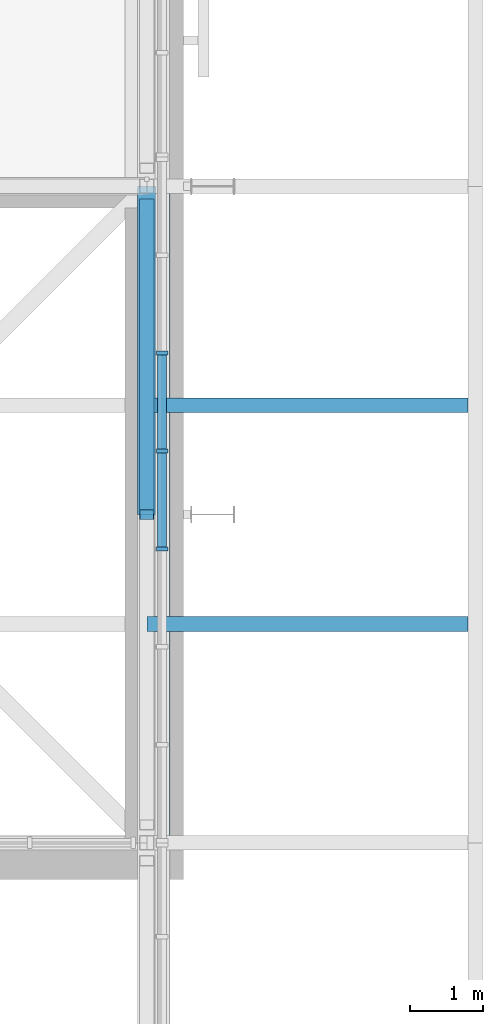
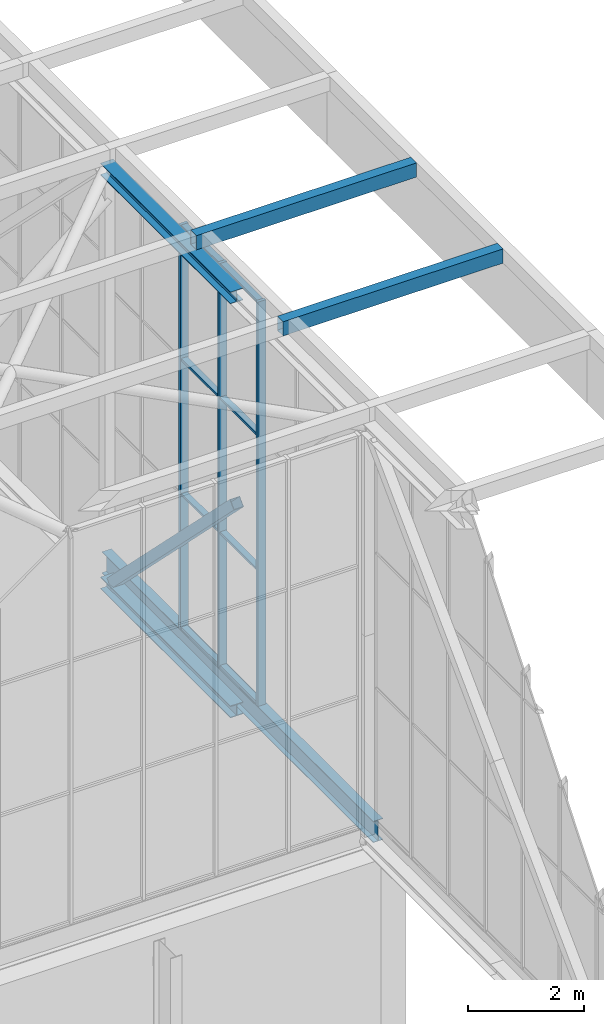
# One storey, part 86 of 646: 16 members, 1 beam, 1 element without a shape of its own.
"""IFC4 building model written with IfcOpenShell, lengths in metres."""

import ifcopenshell
import ifcopenshell.guid

model = None  # the IFC model being written
_history = None  # IfcOwnerHistory: only IFC2X3 demands one
_inside = {}  # id of a spatial element -> (the spatial element, [elements in it])
_under = {}  # id of a project, library or spatial element -> (it, [spatial elements below it])
_declared = {}  # id of a project -> (the project, [libraries it declares])
_typed = {}  # id of a type object -> (the type object, [elements of that type])
_made_of = {}  # id of a material, layer set ... -> (it, [elements and type objects made of it])


def new_model(schema):
    """Start an empty IFC model of exactly this schema.

    Asked for "IFC4X3", IfcOpenShell would pick the latest addendum, in which some entities
    have other attributes; the version numbers below select the first issue.
    IFC2X3 requires an IfcOwnerHistory on every rooted entity: one is made here for all.
    """
    global model, _history
    if schema == "IFC4X3":
        model = ifcopenshell.file(schema_version=(4, 3, 0, 0))
    else:
        model = ifcopenshell.file(schema=schema)
    _inside.clear()
    _under.clear()
    _declared.clear()
    _typed.clear()
    _made_of.clear()
    _history = None
    if model.schema == "IFC2X3":
        org = make("IfcOrganization", Name="unknown")
        user = make(
            "IfcPersonAndOrganization",
            ThePerson=make("IfcPerson", FamilyName="unknown"),
            TheOrganization=org,
        )
        app = make(
            "IfcApplication",
            ApplicationDeveloper=org,
            Version="unknown",
            ApplicationFullName="unknown",
            ApplicationIdentifier="unknown",
        )
        _history = make(
            "IfcOwnerHistory",
            OwningUser=user,
            OwningApplication=app,
            ChangeAction="ADDED",
            CreationDate=0,
        )
    return model


def make(cls, **values):
    """One entity of the class cls with the attributes given. An attribute that is None is left unset."""
    return model.create_entity(
        cls, **{name: value for name, value in values.items() if value is not None}
    )


def rooted(cls, **values):
    """An entity with a GlobalId (a new one), such as an element, a storey or a relation."""
    return make(cls, GlobalId=ifcopenshell.guid.new(), OwnerHistory=_history, **values)


def si_unit(unit_type, name, prefix=None):
    """IfcSIUnit, for example si_unit("LENGTHUNIT", "METRE", prefix="MILLI")."""
    return make("IfcSIUnit", UnitType=unit_type, Prefix=prefix, Name=name)


def assignment(units):
    """IfcUnitAssignment: the units of a project."""
    return None if units is None else make("IfcUnitAssignment", Units=units)


def point(xyz):
    """IfcCartesianPoint."""
    return None if xyz is None else make("IfcCartesianPoint", Coordinates=xyz)


def direction(xyz):
    """IfcDirection."""
    return None if xyz is None else make("IfcDirection", DirectionRatios=xyz)


def frame(location, z_axis=None, x_axis=None):
    """IfcAxis2Placement3D, a coordinate frame: its origin and axes. An axis left out is left unset."""
    return make(
        "IfcAxis2Placement3D",
        Location=point(location),
        Axis=direction(z_axis),
        RefDirection=direction(x_axis),
    )


def frame_2d(location, x_axis=None):
    """IfcAxis2Placement2D, a coordinate frame in the plane: its origin and x axis."""
    return make(
        "IfcAxis2Placement2D", Location=point(location), RefDirection=direction(x_axis)
    )


def origin():
    """The frame at (0, 0, 0) with its axes left unset."""
    return frame((0.0, 0.0, 0.0))


def origin_2d():
    """The frame at (0, 0) in the plane with its x axis left unset."""
    return frame_2d((0.0, 0.0))


def place(relative_to, where):
    """IfcLocalPlacement: puts the frame where relative to a parent placement (None: the world)."""
    return make(
        "IfcLocalPlacement", PlacementRelTo=relative_to, RelativePlacement=where
    )


def context(
    kind, dimensions, precision=None, world=None, true_north=None, identifier=None
):
    """IfcGeometricRepresentationContext, for example the 3D "Model" context."""
    return make(
        "IfcGeometricRepresentationContext",
        ContextIdentifier=identifier,
        ContextType=kind,
        CoordinateSpaceDimension=dimensions,
        Precision=precision,
        WorldCoordinateSystem=world,
        TrueNorth=true_north,
    )


def subcontext(parent, identifier, kind, view, scale=None):
    """IfcGeometricRepresentationSubContext, for example "Body" below "Model"."""
    return make(
        "IfcGeometricRepresentationSubContext",
        ContextIdentifier=identifier,
        ContextType=kind,
        ParentContext=parent,
        TargetScale=scale,
        TargetView=view,
    )


def project(units=None, contexts=None):
    """IfcProject with its units and contexts."""
    return rooted(
        "IfcProject",
        Name="project",
        RepresentationContexts=contexts,
        UnitsInContext=assignment(units),
    )


def spatial(cls, under=None, at=None, **own):
    """A site, building, storey or space (cls), placed at a placement, below another one or the project."""
    s = rooted(cls, ObjectPlacement=at, **own)
    if under is not None:
        _under.setdefault(under.id(), (under, []))[1].append(s)
    return s


def profile(cls, at=None, kind="AREA", **sizes):
    """A parametric profile (cls). Its sizes go by their IFC names, for example OverallWidth=200.0."""
    return make(cls, ProfileType=kind, Position=at, **sizes)


def rectangle(**sizes):
    """IfcRectangleProfileDef."""
    return profile("IfcRectangleProfileDef", **sizes)


def hollow_rectangle(**sizes):
    """IfcRectangleHollowProfileDef."""
    return profile("IfcRectangleHollowProfileDef", **sizes)


def i_section(**sizes):
    """IfcIShapeProfileDef."""
    return profile("IfcIShapeProfileDef", **sizes)


def extrude(swept, where, along, depth):
    """IfcExtrudedAreaSolid: the profile swept, set in the frame where, extruded along a direction by depth."""
    return make(
        "IfcExtrudedAreaSolid",
        SweptArea=swept,
        Position=where,
        ExtrudedDirection=direction(along),
        Depth=depth,
    )


def shape(context_of_items, identifier, shape_type, items):
    """IfcShapeRepresentation: the items that make up one representation, for example the "Body"."""
    return make(
        "IfcShapeRepresentation",
        ContextOfItems=context_of_items,
        RepresentationIdentifier=identifier,
        RepresentationType=shape_type,
        Items=items,
    )


def material(Name=None, Category=None):
    """IfcMaterial."""
    return make("IfcMaterial", Name=Name, Category=Category)


def material_profile(
    of_material, cross_section, Name=None, Category=None, Priority=None
):
    """IfcMaterialProfile: a cross section and its material."""
    return make(
        "IfcMaterialProfile",
        Name=Name,
        Material=of_material,
        Profile=cross_section,
        Priority=Priority,
        Category=Category,
    )


def profile_set(profiles, Name=None, composite=None):
    """IfcMaterialProfileSet."""
    return make(
        "IfcMaterialProfileSet",
        Name=Name,
        MaterialProfiles=profiles,
        CompositeProfile=composite,
    )


def made_of(thing, what):
    """Note that an element or type object is made of a material, layer set ...; save() writes the relation."""
    if what is not None:
        _made_of.setdefault(what.id(), (what, []))[1].append(thing)
    return thing


def type_object(cls, material=None, **own):
    """A type object (cls), such as IfcWallType, which elements share."""
    return made_of(rooted(cls, **own), material)


def element(
    cls,
    number,
    at=None,
    inside=None,
    cuts=None,
    type_object=None,
    material=None,
    context=None,
    identifier="Body",
    shape_type=None,
    held_by="IfcProductDefinitionShape",
    body=None,
    shapes=None,
    **own,
):
    """One element of the class cls, such as IfcWall. Its Tag is "e" and its number.

    at: its placement. inside: the storey or other place that contains it. cuts: it is an
    opening in that element (IfcRelVoidsElement). A single representation is given by context,
    identifier, shape_type and body (its items); several are given by shapes. held_by: the class
    of the entity that holds the representations. save() writes the other relations.
    """
    e = rooted(cls, Tag="e%d" % number, ObjectPlacement=at, **own)
    if body is not None:
        shapes = [shape(context, identifier, shape_type, body)]
    if shapes is not None:
        e.Representation = make(held_by, Representations=shapes)
    if inside is not None:
        _inside.setdefault(inside.id(), (inside, []))[1].append(e)
    if cuts is not None:
        rooted(
            "IfcRelVoidsElement", RelatingBuildingElement=cuts, RelatedOpeningElement=e
        )
    if type_object is not None:
        _typed.setdefault(type_object.id(), (type_object, []))[1].append(e)
    return made_of(e, material)


def aggregate(whole, parts):
    """IfcRelAggregates: a whole, such as a stair, and the parts it consists of."""
    return rooted("IfcRelAggregates", RelatingObject=whole, RelatedObjects=parts)


def save(model, path):
    """Write the relations noted so far, then the file.

    IfcRelAggregates (storeys below a building ...), IfcRelContainedInSpatialStructure (elements
    in a storey), IfcRelDefinesByType, IfcRelAssociatesMaterial and IfcRelDeclares: one each for
    every whole, place, type object, material and project.
    """
    for whole, parts in _under.values():
        aggregate(whole, parts)
    for where, things in _inside.values():
        rooted(
            "IfcRelContainedInSpatialStructure",
            RelatedElements=things,
            RelatingStructure=where,
        )
    for kind, things in _typed.values():
        rooted("IfcRelDefinesByType", RelatedObjects=things, RelatingType=kind)
    for what, things in _made_of.values():
        rooted("IfcRelAssociatesMaterial", RelatedObjects=things, RelatingMaterial=what)
    for by, libraries in _declared.values():
        rooted("IfcRelDeclares", RelatingContext=by, RelatedDefinitions=libraries)
    model.write(path)


model = new_model("IFC4")

# Units and contexts
model_context = context("Model", 3, precision=1e-05, world=origin(), true_north=direction((0.0, 1.0)))
body_context = subcontext(model_context, "Body", "Model", "MODEL_VIEW")
ifc_project = project(units=[si_unit("LENGTHUNIT", "METRE"), si_unit("AREAUNIT", "SQUARE_METRE"), si_unit("VOLUMEUNIT", "CUBIC_METRE"), si_unit("PLANEANGLEUNIT", "RADIAN"), si_unit("MASSUNIT", "GRAM", prefix="KILO")], contexts=[model_context])

# Site, building, storey
site_placement = place(None, origin())
site = spatial("IfcSite", under=ifc_project, at=site_placement, CompositionType="ELEMENT")
building_placement = place(site_placement, origin())
building = spatial("IfcBuilding", under=site, at=building_placement, Name="Silverbay Arena", CompositionType="ELEMENT")
storey_placement = place(building_placement, frame((0.0, 0.0, 33.5)))
storey = spatial("IfcBuildingStorey", under=building, at=storey_placement, Name="L05", CompositionType="ELEMENT", Elevation=33.5)

# Curtain wall, members
ifc_material_1 = material(Name="Aluminium framed glazing", Category="aluminium")
curtain_wall_type = type_object("IfcCurtainWallType", Name="Curtain wall clerestory 9400 x 8547", PredefinedType="NOTDEFINED", material=ifc_material_1)
curtain_wall_placement = place(storey_placement, origin())
curtain_wall = element("IfcCurtainWall", 1, at=curtain_wall_placement, inside=storey, type_object=curtain_wall_type, Name="ROOF GABLE CLERESTORY CURTAIN WALL east bay 02", PredefinedType="NOTDEFINED")
ifc_material_2 = material(Name="Aluminium", Category="aluminium")
ifc_material_profile_1 = material_profile(ifc_material_2, rectangle(XDim=0.159912109375, YDim=0.06005859375, at=origin_2d()), Name="Mullion 60 x 160")
ifc_profile_set_1 = profile_set([ifc_material_profile_1], Name="Aluminium")
member_type_1 = type_object("IfcMemberType", Name="Mullion 60 x 160", PredefinedType="MULLION", material=ifc_profile_set_1)
member_1_placement = place(storey_placement, frame((207.2099609375, 22.028564453125, 4.453369140625), z_axis=(0.0, 0.0, 1.0), x_axis=(-1.0, 0.0, 0.0)))
member_1 = element("IfcMember", 2, at=member_1_placement, type_object=member_type_1, Name="CW58 mullion 4", PredefinedType="MULLION", context=body_context, shape_type="SweptSolid", body=[
    extrude(rectangle(XDim=0.159912109375, YDim=0.06005859375, at=origin_2d()), origin(), (0.0, 0.0, 1.0), 8.546630859375),
])
member_2_placement = place(storey_placement, frame((207.2099609375, 23.371337890625, 4.453369140625), z_axis=(0.0, 0.0, 1.0), x_axis=(-1.0, 0.0, 0.0)))
member_2 = element("IfcMember", 3, at=member_2_placement, type_object=member_type_1, Name="CW58 mullion 5", PredefinedType="MULLION", context=body_context, shape_type="SweptSolid", body=[
    extrude(rectangle(XDim=0.159912109375, YDim=0.06005859375, at=origin_2d()), origin(), (0.0, 0.0, 1.0), 8.546630859375),
])
member_3_placement = place(storey_placement, frame((207.2099609375, 24.71435546875, 4.453369140625), z_axis=(0.0, 0.0, 1.0), x_axis=(-1.0, 0.0, 0.0)))
member_3 = element("IfcMember", 4, at=member_3_placement, type_object=member_type_1, Name="CW58 mullion 6", PredefinedType="MULLION", context=body_context, shape_type="SweptSolid", body=[
    extrude(rectangle(XDim=0.159912109375, YDim=0.06005859375, at=origin_2d()), origin(), (0.0, 0.0, 1.0), 8.546630859375),
])

# Members
ifc_material_3 = material(Name="Steel S355", Category="steel")
ifc_material_profile_2 = material_profile(ifc_material_3, hollow_rectangle(XDim=0.199951171875, YDim=0.300048828125, WallThickness=0.008056640625, at=origin_2d()), Name="RHS 300x200x8")
ifc_profile_set_2 = profile_set([ifc_material_profile_2], Name="Steel S355")
member_type_2 = type_object("IfcMemberType", Name="Purlin RHS 300x200x8", PredefinedType="PURLIN", material=ifc_profile_set_2)
for number, where, z_axis, x_axis, name in (
    (5, (211.39990234375, 21.0, 13.14990234375), (-1.0, 0.0, 0.0), (0.0, -1.0, 0.0), "ROOF PURLIN east eave line 05"),
    (6, (211.39990234375, 24.0, 13.14990234375), (-1.0, 0.0, 0.0), (0.0, -1.0, 0.0), "ROOF PURLIN east eave line 06"),
):
    element("IfcMember", number, at=place(storey_placement, frame(where, z_axis=z_axis, x_axis=x_axis)), inside=storey, type_object=member_type_2, Name=name, PredefinedType="PURLIN", context=body_context, shape_type="SweptSolid", body=[
        extrude(hollow_rectangle(XDim=0.199951171875, YDim=0.300048828125, WallThickness=0.008056640625, at=origin_2d()), origin(), (0.0, 0.0, 1.0), 4.39990234375),
    ])

# Beam
ifc_material_4 = material(Name="Steel S355", Category="steel")
ifc_material_profile_3 = material_profile(ifc_material_4, i_section(OverallWidth=0.18994140625, OverallDepth=0.453369140625, WebThickness=0.008544921875, FlangeThickness=0.0126953125, at=origin_2d()), Name="UB 457x191x67")
ifc_profile_set_3 = profile_set([ifc_material_profile_3], Name="Steel S355")
beam_type = type_object("IfcBeamType", Name="Ring beam UB 457x191x67", PredefinedType="BEAM", material=ifc_profile_set_3)
beam_placement = place(storey_placement, frame((207.224853515625, 18.0, 4.226806640625), z_axis=(0.0, 1.0, 0.0), x_axis=(-1.0, 0.0, 0.0)))
element("IfcBeam", 7, at=beam_placement, inside=storey, type_object=beam_type, Name="RING BEAM east gable panel 02", PredefinedType="BEAM", context=body_context, shape_type="SweptSolid", body=[
    extrude(i_section(OverallWidth=0.18994140625, OverallDepth=0.453369140625, WebThickness=0.008544921875, FlangeThickness=0.0126953125, at=origin_2d()), origin(), (0.0, 0.0, 1.0), 9.39990234375),
])

# Members
ifc_material_5 = material(Name="Steel S355", Category="steel")
ifc_material_profile_4 = material_profile(ifc_material_5, i_section(OverallWidth=0.254638671875, OverallDepth=0.254150390625, WebThickness=0.008544921875, FlangeThickness=0.01416015625, at=origin_2d()), Name="UC 254x254x73")
ifc_profile_set_4 = profile_set([ifc_material_profile_4], Name="Steel S355")
member_type_3 = type_object("IfcMemberType", Name="Short-span bottom chord UC 254x254x73", PredefinedType="CHORD", material=ifc_profile_set_4)
member_4_placement = place(storey_placement, frame((207.0, 22.5, 4.126953125), z_axis=(0.0, 1.0, 0.0), x_axis=(-1.0, 0.0, 0.0)))
element("IfcMember", 8, at=member_4_placement, inside=storey, type_object=member_type_3, Name="ROOF TRUSS 24 bottom chord 02b", PredefinedType="CHORD", context=body_context, shape_type="SweptSolid", body=[
    extrude(i_section(OverallWidth=0.254638671875, OverallDepth=0.254150390625, WebThickness=0.008544921875, FlangeThickness=0.01416015625, at=origin_2d()), origin(), (0.0, 0.0, 1.0), 4.5),
])
ifc_material_6 = material(Name="Steel S355", Category="steel")
ifc_material_profile_5 = material_profile(ifc_material_6, i_section(OverallWidth=0.254638671875, OverallDepth=0.254150390625, WebThickness=0.008544921875, FlangeThickness=0.01416015625, at=origin_2d()), Name="UC 254x254x73")
ifc_profile_set_5 = profile_set([ifc_material_profile_5], Name="Steel S355")
member_type_4 = type_object("IfcMemberType", Name="Short-span top chord UC 254x254x73", PredefinedType="CHORD", material=ifc_profile_set_5)
member_5_placement = place(storey_placement, frame((207.0, 22.5, 12.873046875), z_axis=(0.0, 1.0, 0.0), x_axis=(-1.0, 0.0, 0.0)))
element("IfcMember", 9, at=member_5_placement, inside=storey, type_object=member_type_4, Name="ROOF TRUSS 24 top chord 02b", PredefinedType="CHORD", context=body_context, shape_type="SweptSolid", body=[
    extrude(i_section(OverallWidth=0.254638671875, OverallDepth=0.254150390625, WebThickness=0.008544921875, FlangeThickness=0.01416015625, at=origin_2d()), origin(), (0.0, 0.0, 1.0), 4.5),
])
ifc_material_7 = material(Name="Steel S355", Category="steel")
ifc_material_profile_6 = material_profile(ifc_material_7, hollow_rectangle(XDim=0.199951171875, YDim=0.199951171875, WallThickness=0.008056640625, at=origin_2d()), Name="SHS 200x200x8")
ifc_profile_set_6 = profile_set([ifc_material_profile_6], Name="Steel S355")
member_type_5 = type_object("IfcMemberType", Name="Short-span truss diagonal SHS 200x200x8", PredefinedType="BRACE", material=ifc_profile_set_6)
member_6_placement = place(storey_placement, frame((207.0, 22.5, 8.5), z_axis=(0.0, 0.70781724692, -0.706395600894), x_axis=(-1.0, 0.0, 0.0)))
element("IfcMember", 10, at=member_6_placement, inside=storey, type_object=member_type_5, Name="ROOF TRUSS 24 diagonal 02b", PredefinedType="BRACE", context=body_context, shape_type="SweptSolid", body=[
    extrude(hollow_rectangle(XDim=0.199951171875, YDim=0.199951171875, WallThickness=0.008056640625, at=origin_2d()), origin(), (0.0, 0.0, 1.0), 6.010498046875),
])

# Member
ifc_material_8 = material(Name="Aluminium", Category="aluminium")
ifc_material_profile_7 = material_profile(ifc_material_8, rectangle(XDim=0.1201171875, YDim=0.050048828125, at=origin_2d()), Name="Transom 50 x 120")
ifc_profile_set_7 = profile_set([ifc_material_profile_7], Name="Aluminium")
member_type_6 = type_object("IfcMemberType", Name="Transom 50 x 120", PredefinedType="USERDEFINED", material=ifc_profile_set_7)
member_7_placement = place(storey_placement, frame((207.2099609375, 22.05859375, 4.478515625), z_axis=(0.0, 1.0, 0.0), x_axis=(-1.0, 0.0, 0.0)))
member_7 = element("IfcMember", 11, at=member_7_placement, type_object=member_type_6, Name="CW58 transom 4.1", ObjectType="TRANSOM", PredefinedType="USERDEFINED", context=body_context, shape_type="SweptSolid", body=[
    extrude(rectangle(XDim=0.1201171875, YDim=0.050048828125, at=origin_2d()), origin(), (0.0, 0.0, 1.0), 1.28271484375),
])

member_8_placement = place(storey_placement, frame((207.2099609375, 22.05859375, 7.30224609375), z_axis=(0.0, 1.0, 0.0), x_axis=(-1.0, 0.0, 0.0)))
member_8 = element("IfcMember", 12, at=member_8_placement, type_object=member_type_6, Name="CW58 transom 4.2", ObjectType="TRANSOM", PredefinedType="USERDEFINED", context=body_context, shape_type="SweptSolid", body=[
    extrude(rectangle(XDim=0.1201171875, YDim=0.050048828125, at=origin_2d()), origin(), (0.0, 0.0, 1.0), 1.28271484375),
])

member_9_placement = place(storey_placement, frame((207.2099609375, 22.05859375, 10.151123046875), z_axis=(0.0, 1.0, 0.0), x_axis=(-1.0, 0.0, 0.0)))
member_9 = element("IfcMember", 13, at=member_9_placement, type_object=member_type_6, Name="CW58 transom 4.3", ObjectType="TRANSOM", PredefinedType="USERDEFINED", context=body_context, shape_type="SweptSolid", body=[
    extrude(rectangle(XDim=0.1201171875, YDim=0.050048828125, at=origin_2d()), origin(), (0.0, 0.0, 1.0), 1.28271484375),
])

member_10_placement = place(storey_placement, frame((207.2099609375, 22.05859375, 12.97509765625), z_axis=(0.0, 1.0, 0.0), x_axis=(-1.0, 0.0, 0.0)))
member_10 = element("IfcMember", 14, at=member_10_placement, type_object=member_type_6, Name="CW58 transom 4.4", ObjectType="TRANSOM", PredefinedType="USERDEFINED", context=body_context, shape_type="SweptSolid", body=[
    extrude(rectangle(XDim=0.1201171875, YDim=0.050048828125, at=origin_2d()), origin(), (0.0, 0.0, 1.0), 1.28271484375),
])

member_11_placement = place(storey_placement, frame((207.2099609375, 23.4013671875, 4.478515625), z_axis=(0.0, 1.0, 0.0), x_axis=(-1.0, 0.0, 0.0)))
member_11 = element("IfcMember", 15, at=member_11_placement, type_object=member_type_6, Name="CW58 transom 5.1", ObjectType="TRANSOM", PredefinedType="USERDEFINED", context=body_context, shape_type="SweptSolid", body=[
    extrude(rectangle(XDim=0.1201171875, YDim=0.050048828125, at=origin_2d()), origin(), (0.0, 0.0, 1.0), 1.282958984375),
])

member_12_placement = place(storey_placement, frame((207.2099609375, 23.4013671875, 7.30224609375), z_axis=(0.0, 1.0, 0.0), x_axis=(-1.0, 0.0, 0.0)))
member_12 = element("IfcMember", 16, at=member_12_placement, type_object=member_type_6, Name="CW58 transom 5.2", ObjectType="TRANSOM", PredefinedType="USERDEFINED", context=body_context, shape_type="SweptSolid", body=[
    extrude(rectangle(XDim=0.1201171875, YDim=0.050048828125, at=origin_2d()), origin(), (0.0, 0.0, 1.0), 1.282958984375),
])

member_13_placement = place(storey_placement, frame((207.2099609375, 23.4013671875, 10.151123046875), z_axis=(0.0, 1.0, 0.0), x_axis=(-1.0, 0.0, 0.0)))
member_13 = element("IfcMember", 17, at=member_13_placement, type_object=member_type_6, Name="CW58 transom 5.3", ObjectType="TRANSOM", PredefinedType="USERDEFINED", context=body_context, shape_type="SweptSolid", body=[
    extrude(rectangle(XDim=0.1201171875, YDim=0.050048828125, at=origin_2d()), origin(), (0.0, 0.0, 1.0), 1.282958984375),
])

member_14_placement = place(storey_placement, frame((207.2099609375, 23.4013671875, 12.97509765625), z_axis=(0.0, 1.0, 0.0), x_axis=(-1.0, 0.0, 0.0)))
member_14 = element("IfcMember", 18, at=member_14_placement, type_object=member_type_6, Name="CW58 transom 5.4", ObjectType="TRANSOM", PredefinedType="USERDEFINED", context=body_context, shape_type="SweptSolid", body=[
    extrude(rectangle(XDim=0.1201171875, YDim=0.050048828125, at=origin_2d()), origin(), (0.0, 0.0, 1.0), 1.282958984375),
])

aggregate(curtain_wall, [member_1, member_2, member_3, member_7, member_8, member_9, member_10, member_11, member_12, member_13, member_14])

save(model, "model.ifc")
